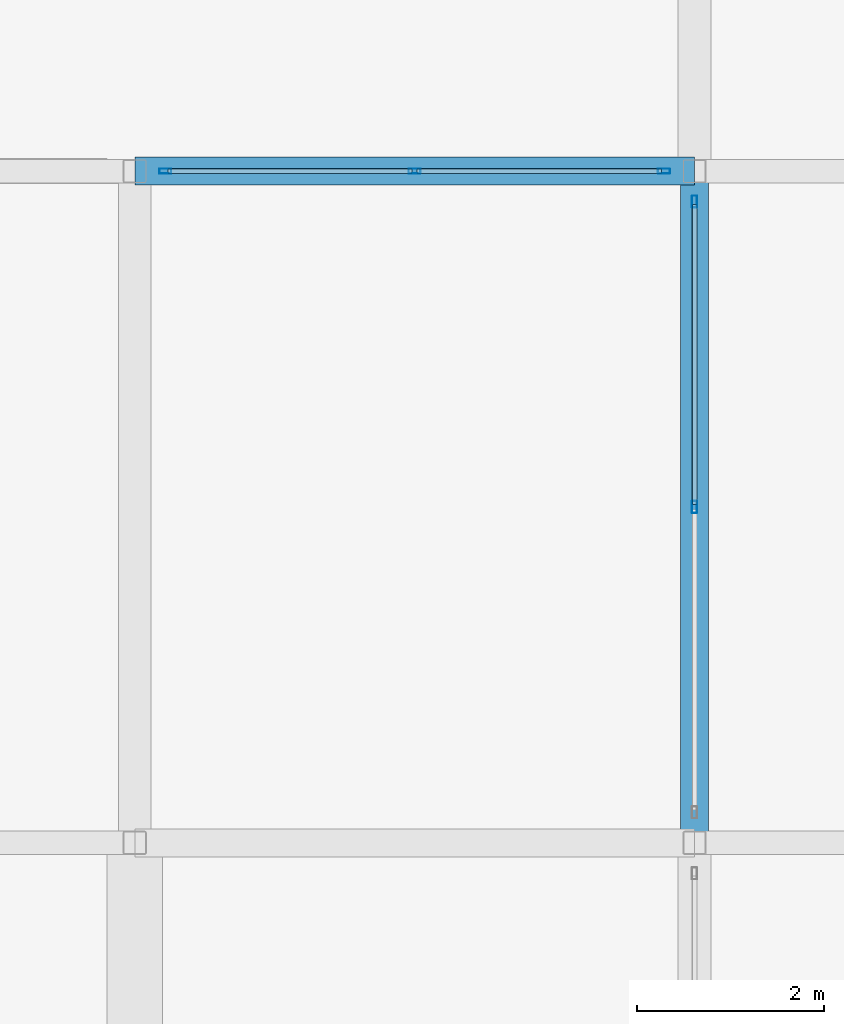
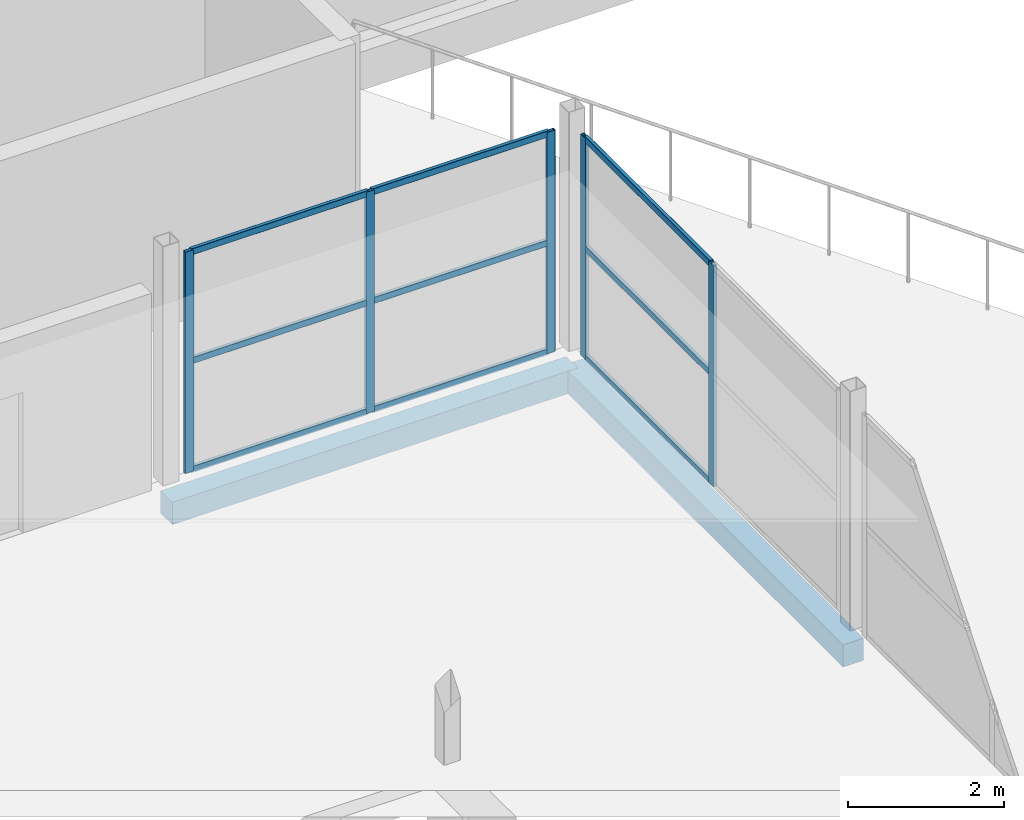
# One storey, part 167 of 239: 14 members, 2 beams, 2 elements without a shape of their own.
"""IFC4 building model written with IfcOpenShell, lengths in metres."""

from ifc_helpers import new_model, si_unit, direction, frame, origin, origin_2d, place, context, subcontext, project, spatial, rectangle, hollow_rectangle, extrude, material, layer, layer_set, material_profile, profile_set, type_object, element, aggregate, save


model = new_model("IFC4")

# Units and contexts
model_context = context("Model", 3, precision=1e-05, world=origin(), true_north=direction((0.0, 1.0)))
body_context = subcontext(model_context, "Body", "Model", "MODEL_VIEW")
ifc_project = project(units=[si_unit("LENGTHUNIT", "METRE"), si_unit("AREAUNIT", "SQUARE_METRE"), si_unit("VOLUMEUNIT", "CUBIC_METRE"), si_unit("PLANEANGLEUNIT", "RADIAN"), si_unit("MASSUNIT", "GRAM", prefix="KILO")], contexts=[model_context])

# Site, building, storey
site_placement = place(None, origin())
site = spatial("IfcSite", under=ifc_project, at=site_placement, CompositionType="ELEMENT")
building_placement = place(site_placement, origin())
building = spatial("IfcBuilding", under=site, at=building_placement, Name="Dunvalen Ferry Terminal", CompositionType="ELEMENT")
storey_placement = place(building_placement, frame((0.0, 0.0, 9.840087890625)))
storey = spatial("IfcBuildingStorey", under=building, at=storey_placement, Name="L02", CompositionType="ELEMENT", Elevation=9.840087890625)

# Curtain wall, members
ifc_material_1 = material(Name="Anodised marine aluminium and solar-control glazing", Category="aluminium")
ifc_layer_1 = layer(ifc_material_1, 0.159912109375, Name="Anodised marine aluminium and solar-control glazing")
ifc_layer_set_1 = layer_set([ifc_layer_1], Name="Anodised marine aluminium and solar-control glazing")
curtain_wall_type_1 = type_object("IfcCurtainWallType", Name="ENV-CW-SYS-09", PredefinedType="NOTDEFINED", material=ifc_layer_set_1)
curtain_wall_1_placement = place(storey_placement, origin())
curtain_wall_1 = element("IfcCurtainWall", 1, at=curtain_wall_1_placement, inside=storey, type_object=curtain_wall_type_1, Name="L02 Curtain Wall CW-PAV-N-7", PredefinedType="NOTDEFINED")
ifc_material_2 = material(Name="Anodised marine aluminium EN AW-6063 T6", Category="aluminium")
ifc_material_profile_1 = material_profile(ifc_material_2, hollow_rectangle(XDim=0.054931640625, YDim=0.1298828125, WallThickness=0.003173828125, InnerFilletRadius=0.003173828125, OuterFilletRadius=0.00634765625, at=origin_2d()), Name="Anodised marine aluminium EN AW-6063 T6")
ifc_profile_set_1 = profile_set([ifc_material_profile_1], Name="Anodised marine aluminium EN AW-6063 T6")
member_type_1 = type_object("IfcMemberType", Name="ENV-CW-MUL-4", PredefinedType="MULLION", material=ifc_profile_set_1)
member_1_placement = place(storey_placement, frame((150.327392578125, 36.0, 0.0), z_axis=(0.0, 0.0, 1.0), x_axis=(0.0, 1.0, 0.0)))
member_1 = element("IfcMember", 2, at=member_1_placement, type_object=member_type_1, Name="CW-09 mullion 1", PredefinedType="MULLION", context=body_context, shape_type="SweptSolid", body=[
    extrude(hollow_rectangle(XDim=0.054931640625, YDim=0.1298828125, WallThickness=0.003173828125, InnerFilletRadius=0.003173828125, OuterFilletRadius=0.00634765625, at=origin_2d()), origin(), (0.0, 0.0, 1.0), 3.4599609375),
])
member_2_placement = place(storey_placement, frame((153.0, 36.0, 0.0), z_axis=(0.0, 0.0, 1.0), x_axis=(0.0, 1.0, 0.0)))
member_2 = element("IfcMember", 3, at=member_2_placement, type_object=member_type_1, Name="CW-09 mullion 2", PredefinedType="MULLION", context=body_context, shape_type="SweptSolid", body=[
    extrude(hollow_rectangle(XDim=0.054931640625, YDim=0.1298828125, WallThickness=0.003173828125, InnerFilletRadius=0.003173828125, OuterFilletRadius=0.00634765625, at=origin_2d()), origin(), (0.0, 0.0, 1.0), 3.4599609375),
])
member_3_placement = place(storey_placement, frame((155.672607421875, 36.0, 0.0), z_axis=(0.0, 0.0, 1.0), x_axis=(0.0, 1.0, 0.0)))
member_3 = element("IfcMember", 4, at=member_3_placement, type_object=member_type_1, Name="CW-09 mullion 3", PredefinedType="MULLION", context=body_context, shape_type="SweptSolid", body=[
    extrude(hollow_rectangle(XDim=0.054931640625, YDim=0.1298828125, WallThickness=0.003173828125, InnerFilletRadius=0.003173828125, OuterFilletRadius=0.00634765625, at=origin_2d()), origin(), (0.0, 0.0, 1.0), 3.4599609375),
])

ifc_layer_2 = layer(ifc_material_1, 0.159912109375, Name="Anodised marine aluminium and solar-control glazing")
ifc_layer_set_2 = layer_set([ifc_layer_2], Name="Anodised marine aluminium and solar-control glazing")
curtain_wall_type_2 = type_object("IfcCurtainWallType", Name="ENV-CW-SYS-10", PredefinedType="NOTDEFINED", material=ifc_layer_set_2)
curtain_wall_2_placement = place(storey_placement, origin())
curtain_wall_2 = element("IfcCurtainWall", 5, at=curtain_wall_2_placement, inside=storey, type_object=curtain_wall_type_2, Name="L02 Curtain Wall CW-PAV-E-3", PredefinedType="NOTDEFINED")
member_4_placement = place(storey_placement, frame((156.0, 32.39990234375, 0.0), z_axis=(0.0, 0.0, 1.0), x_axis=(-1.0, 0.0, 0.0)))
member_4 = element("IfcMember", 6, at=member_4_placement, type_object=member_type_1, Name="CW-10 mullion 2", PredefinedType="MULLION", context=body_context, shape_type="SweptSolid", body=[
    extrude(hollow_rectangle(XDim=0.054931640625, YDim=0.1298828125, WallThickness=0.003173828125, InnerFilletRadius=0.003173828125, OuterFilletRadius=0.00634765625, at=origin_2d()), origin(), (0.0, 0.0, 1.0), 3.4599609375),
])
member_5_placement = place(storey_placement, frame((156.0, 35.672607421875, 0.0), z_axis=(0.0, 0.0, 1.0), x_axis=(-1.0, 0.0, 0.0)))
member_5 = element("IfcMember", 7, at=member_5_placement, type_object=member_type_1, Name="CW-10 mullion 3", PredefinedType="MULLION", context=body_context, shape_type="SweptSolid", body=[
    extrude(hollow_rectangle(XDim=0.054931640625, YDim=0.1298828125, WallThickness=0.003173828125, InnerFilletRadius=0.003173828125, OuterFilletRadius=0.00634765625, at=origin_2d()), origin(), (0.0, 0.0, 1.0), 3.4599609375),
])

# Member
ifc_material_profile_2 = material_profile(ifc_material_2, hollow_rectangle(XDim=0.054931640625, YDim=0.10009765625, WallThickness=0.0029296875, InnerFilletRadius=0.0029296875, OuterFilletRadius=0.006103515625, at=origin_2d()), Name="Anodised marine aluminium EN AW-6063 T6")
ifc_profile_set_2 = profile_set([ifc_material_profile_2], Name="Anodised marine aluminium EN AW-6063 T6")
member_type_2 = type_object("IfcMemberType", Name="ENV-CW-TRN-4", PredefinedType="USERDEFINED", material=ifc_profile_set_2)
member_6_placement = place(storey_placement, frame((150.35498046875, 36.0, 0.02734375), z_axis=(1.0, 0.0, 0.0), x_axis=(0.0, 1.0, 0.0)))
member_6 = element("IfcMember", 8, at=member_6_placement, type_object=member_type_2, Name="CW-09 transom 1.1", ObjectType="TRANSOM", PredefinedType="USERDEFINED", context=body_context, shape_type="SweptSolid", body=[
    extrude(hollow_rectangle(XDim=0.054931640625, YDim=0.10009765625, WallThickness=0.0029296875, InnerFilletRadius=0.0029296875, OuterFilletRadius=0.006103515625, at=origin_2d()), origin(), (0.0, 0.0, 1.0), 2.617431640625),
])

member_7_placement = place(storey_placement, frame((150.35498046875, 36.0, 1.72998046875), z_axis=(1.0, 0.0, 0.0), x_axis=(0.0, 1.0, 0.0)))
member_7 = element("IfcMember", 9, at=member_7_placement, type_object=member_type_2, Name="CW-09 transom 1.2", ObjectType="TRANSOM", PredefinedType="USERDEFINED", context=body_context, shape_type="SweptSolid", body=[
    extrude(hollow_rectangle(XDim=0.054931640625, YDim=0.10009765625, WallThickness=0.0029296875, InnerFilletRadius=0.0029296875, OuterFilletRadius=0.006103515625, at=origin_2d()), origin(), (0.0, 0.0, 1.0), 2.617431640625),
])

member_8_placement = place(storey_placement, frame((150.35498046875, 36.0, 3.432373046875), z_axis=(1.0, 0.0, 0.0), x_axis=(0.0, 1.0, 0.0)))
member_8 = element("IfcMember", 10, at=member_8_placement, type_object=member_type_2, Name="CW-09 transom 1.3", ObjectType="TRANSOM", PredefinedType="USERDEFINED", context=body_context, shape_type="SweptSolid", body=[
    extrude(hollow_rectangle(XDim=0.054931640625, YDim=0.10009765625, WallThickness=0.0029296875, InnerFilletRadius=0.0029296875, OuterFilletRadius=0.006103515625, at=origin_2d()), origin(), (0.0, 0.0, 1.0), 2.617431640625),
])

member_9_placement = place(storey_placement, frame((153.027587890625, 36.0, 0.02734375), z_axis=(1.0, 0.0, 0.0), x_axis=(0.0, 1.0, 0.0)))
member_9 = element("IfcMember", 11, at=member_9_placement, type_object=member_type_2, Name="CW-09 transom 2.1", ObjectType="TRANSOM", PredefinedType="USERDEFINED", context=body_context, shape_type="SweptSolid", body=[
    extrude(hollow_rectangle(XDim=0.054931640625, YDim=0.10009765625, WallThickness=0.0029296875, InnerFilletRadius=0.0029296875, OuterFilletRadius=0.006103515625, at=origin_2d()), origin(), (0.0, 0.0, 1.0), 2.617431640625),
])

member_10_placement = place(storey_placement, frame((153.027587890625, 36.0, 1.72998046875), z_axis=(1.0, 0.0, 0.0), x_axis=(0.0, 1.0, 0.0)))
member_10 = element("IfcMember", 12, at=member_10_placement, type_object=member_type_2, Name="CW-09 transom 2.2", ObjectType="TRANSOM", PredefinedType="USERDEFINED", context=body_context, shape_type="SweptSolid", body=[
    extrude(hollow_rectangle(XDim=0.054931640625, YDim=0.10009765625, WallThickness=0.0029296875, InnerFilletRadius=0.0029296875, OuterFilletRadius=0.006103515625, at=origin_2d()), origin(), (0.0, 0.0, 1.0), 2.617431640625),
])

member_11_placement = place(storey_placement, frame((153.027587890625, 36.0, 3.432373046875), z_axis=(1.0, 0.0, 0.0), x_axis=(0.0, 1.0, 0.0)))
member_11 = element("IfcMember", 13, at=member_11_placement, type_object=member_type_2, Name="CW-09 transom 2.3", ObjectType="TRANSOM", PredefinedType="USERDEFINED", context=body_context, shape_type="SweptSolid", body=[
    extrude(hollow_rectangle(XDim=0.054931640625, YDim=0.10009765625, WallThickness=0.0029296875, InnerFilletRadius=0.0029296875, OuterFilletRadius=0.006103515625, at=origin_2d()), origin(), (0.0, 0.0, 1.0), 2.617431640625),
])

aggregate(curtain_wall_1, [member_1, member_2, member_3, member_6, member_7, member_8, member_9, member_10, member_11])

member_12_placement = place(storey_placement, frame((156.0, 32.427490234375, 0.02734375), z_axis=(0.0, 1.0, 0.0), x_axis=(-1.0, 0.0, 0.0)))
member_12 = element("IfcMember", 14, at=member_12_placement, type_object=member_type_2, Name="CW-10 transom 2.1", ObjectType="TRANSOM", PredefinedType="USERDEFINED", context=body_context, shape_type="SweptSolid", body=[
    extrude(hollow_rectangle(XDim=0.054931640625, YDim=0.10009765625, WallThickness=0.0029296875, InnerFilletRadius=0.0029296875, OuterFilletRadius=0.006103515625, at=origin_2d()), origin(), (0.0, 0.0, 1.0), 3.217529296875),
])

member_13_placement = place(storey_placement, frame((156.0, 32.427490234375, 1.72998046875), z_axis=(0.0, 1.0, 0.0), x_axis=(-1.0, 0.0, 0.0)))
member_13 = element("IfcMember", 15, at=member_13_placement, type_object=member_type_2, Name="CW-10 transom 2.2", ObjectType="TRANSOM", PredefinedType="USERDEFINED", context=body_context, shape_type="SweptSolid", body=[
    extrude(hollow_rectangle(XDim=0.054931640625, YDim=0.10009765625, WallThickness=0.0029296875, InnerFilletRadius=0.0029296875, OuterFilletRadius=0.006103515625, at=origin_2d()), origin(), (0.0, 0.0, 1.0), 3.217529296875),
])

member_14_placement = place(storey_placement, frame((156.0, 32.427490234375, 3.432373046875), z_axis=(0.0, 1.0, 0.0), x_axis=(-1.0, 0.0, 0.0)))
member_14 = element("IfcMember", 16, at=member_14_placement, type_object=member_type_2, Name="CW-10 transom 2.3", ObjectType="TRANSOM", PredefinedType="USERDEFINED", context=body_context, shape_type="SweptSolid", body=[
    extrude(hollow_rectangle(XDim=0.054931640625, YDim=0.10009765625, WallThickness=0.0029296875, InnerFilletRadius=0.0029296875, OuterFilletRadius=0.006103515625, at=origin_2d()), origin(), (0.0, 0.0, 1.0), 3.217529296875),
])

aggregate(curtain_wall_2, [member_4, member_5, member_12, member_13, member_14])

# Beams
ifc_material_3 = material(Name="Concrete C40/50", Category="concrete")
ifc_material_profile_3 = material_profile(ifc_material_3, rectangle(XDim=0.300048828125, YDim=0.35009765625, at=origin_2d()), Name="Concrete C40/50")
ifc_profile_set_3 = profile_set([ifc_material_profile_3], Name="Concrete C40/50")
beam_type = type_object("IfcBeamType", Name="STR-BM-RCL350", PredefinedType="LINTEL", material=ifc_profile_set_3)
beam_1_placement = place(storey_placement, frame((150.0, 36.0, -0.455078125), z_axis=(1.0, 0.0, 0.0), x_axis=(0.0, 1.0, 0.0)))
element("IfcBeam", 17, at=beam_1_placement, inside=storey, type_object=beam_type, Name="L02 V4 Primary Beam X-054", PredefinedType="LINTEL", context=body_context, shape_type="SweptSolid", body=[
    extrude(rectangle(XDim=0.300048828125, YDim=0.35009765625, at=origin_2d()), origin(), (0.0, 0.0, 1.0), 6.0),
])
beam_2_placement = place(storey_placement, frame((156.0, 28.800048828125, -0.455078125), z_axis=(0.0, 1.0, 0.0), x_axis=(-1.0, 0.0, 0.0)))
element("IfcBeam", 18, at=beam_2_placement, inside=storey, type_object=beam_type, Name="L02 V4 Primary Girder Y-112", PredefinedType="LINTEL", context=body_context, shape_type="SweptSolid", body=[
    extrude(rectangle(XDim=0.300048828125, YDim=0.35009765625, at=origin_2d()), origin(), (0.0, 0.0, 1.0), 7.199951171875),
])

save(model, "model.ifc")
